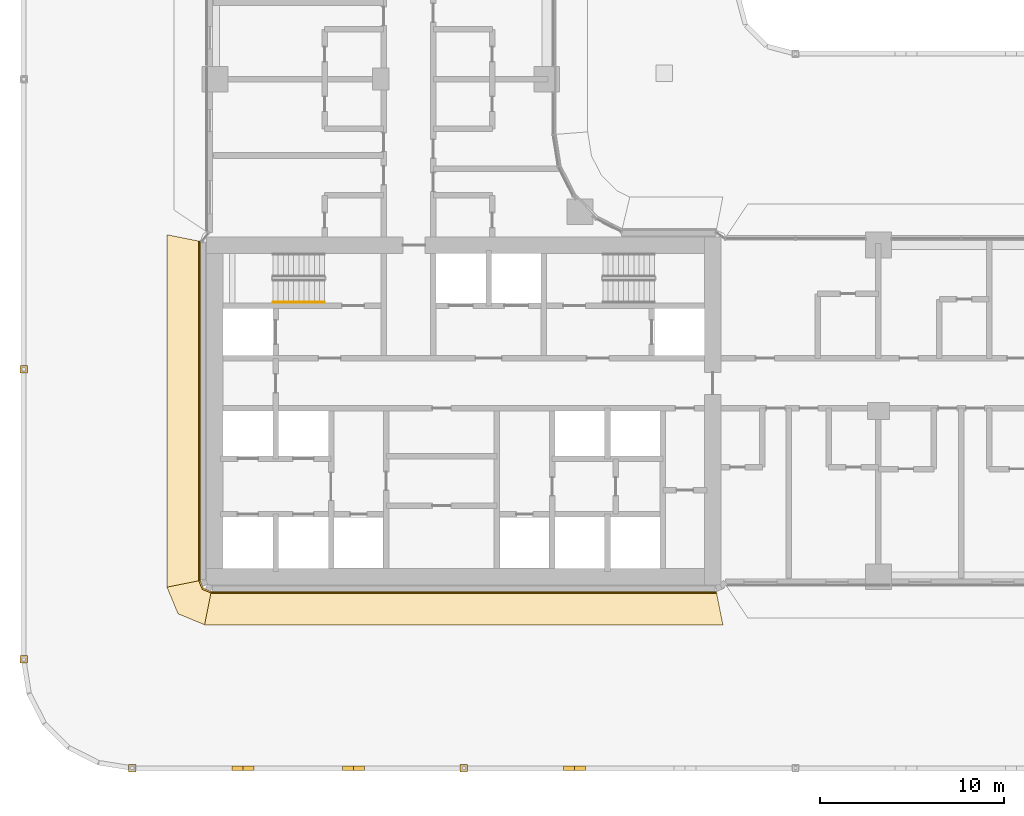
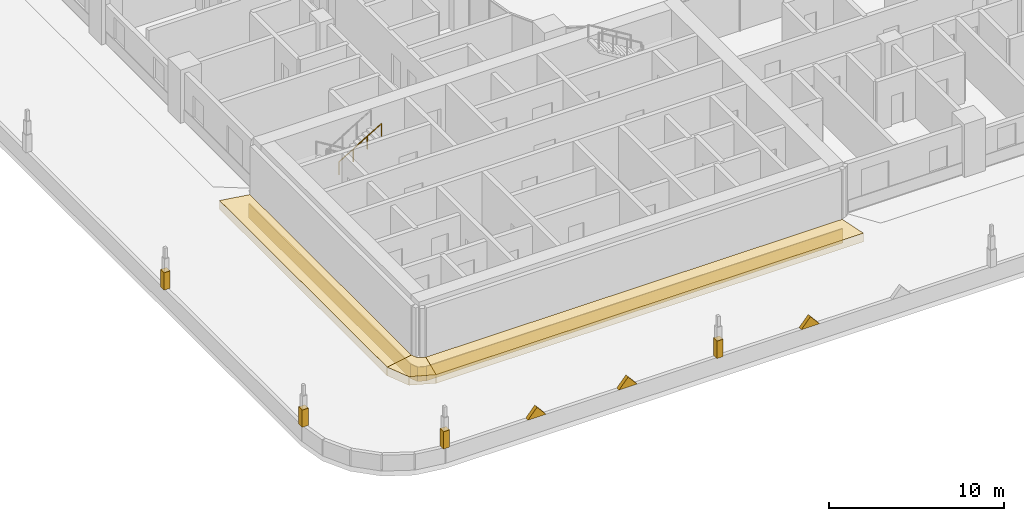
# One storey, part 36 of 51: 13 coverings, 1 railing.
"""IFC4 building model written with IfcOpenShell, lengths in metres."""

from ifc_helpers import new_model, si_unit, direction, frame, origin, origin_2d, place, context, subcontext, project, spatial, polyline, rectangle, circle, outline, extrude, material, layer, layer_set, type_object, element, save


model = new_model("IFC4")

# Units and contexts
model_context = context("Model", 3, precision=1e-05, world=origin(), true_north=direction((0.0, 1.0)))
body_context = subcontext(model_context, "Body", "Model", "MODEL_VIEW")
ifc_project = project(units=[si_unit("LENGTHUNIT", "METRE"), si_unit("AREAUNIT", "SQUARE_METRE"), si_unit("VOLUMEUNIT", "CUBIC_METRE"), si_unit("PLANEANGLEUNIT", "RADIAN"), si_unit("MASSUNIT", "GRAM", prefix="KILO")], contexts=[model_context])

# Site, building, storey
site_placement = place(None, origin())
site = spatial("IfcSite", under=ifc_project, at=site_placement, CompositionType="ELEMENT")
building_placement = place(site_placement, origin())
building = spatial("IfcBuilding", under=site, at=building_placement, Name="Ogive Portal Towers", CompositionType="ELEMENT")
storey_placement = place(building_placement, frame((0.0, 0.0, 33.5)))
storey = spatial("IfcBuildingStorey", under=building, at=storey_placement, Name="L06", CompositionType="ELEMENT", Elevation=33.5)

# Railing
ifc_material_1 = material(Name="Stainless steel handrail", Category="steel")
railing_type = type_object("IfcRailingType", Name="INT-HANDRAIL", PredefinedType="HANDRAIL", material=ifc_material_1)
railing_placement = place(storey_placement, frame((34.64990234375, 36.39990234375, 2.01806640625)))
element("IfcRailing", 1, at=railing_placement, inside=storey, type_object=railing_type, Name="L06 ST-A1 stair handrail 2", PredefinedType="HANDRAIL", context=body_context, shape_type="SweptSolid", body=[
    extrude(circle(Radius=0.02392578125, at=origin_2d()), frame((0.0, 0.0, 0.8759765625), z_axis=(0.857242210791, 0.0, 0.514913383045), x_axis=(0.0, 1.0, 0.0)), (0.0, 0.0, 1.0), 3.266357421875),
    extrude(circle(Radius=0.02099609375, at=origin_2d()), origin(), (0.0, 0.0, 1.0), 0.851806640625),
    extrude(circle(Radius=0.02099609375, at=origin_2d()), frame((0.933349609375, 0.0, 0.560546875)), (0.0, 0.0, 1.0), 0.851806640625),
    extrude(circle(Radius=0.02099609375, at=origin_2d()), frame((1.86669921875, 0.0, 1.121337890625)), (0.0, 0.0, 1.0), 0.851806640625),
    extrude(circle(Radius=0.02099609375, at=origin_2d()), frame((2.800048828125, 0.0, 1.681884765625)), (0.0, 0.0, 1.0), 0.851806640625),
])

# Coverings
ifc_material_2 = material(Name="Limestone cladding on lightweight block wall", Category="masonry")
ifc_layer_1 = layer(ifc_material_2, 0.300048828125)
ifc_layer_set_1 = layer_set([ifc_layer_1], Name="PARAPET GABLE STONE")
covering_type_1 = type_object("IfcCoveringType", Name="PARAPET GABLE STONE", PredefinedType="CLADDING", material=ifc_layer_set_1)
covering_1_placement = place(storey_placement, frame((32.41650390625, 11.0, 1.10009765625), z_axis=(0.0, -1.0, 0.0), x_axis=(1.0, 0.0, 0.0)))
element("IfcCovering", 2, at=covering_1_placement, inside=storey, type_object=covering_type_1, Name="PARAPET GABLE", PredefinedType="CLADDING", context=body_context, shape_type="SweptSolid", body=[
    extrude(outline(polyline([(0.0, 0.0), (1.199951171875, 0.0), (0.599853515625, 0.699951171875), (0.0, 0.0)])), origin(), (0.0, 0.0, -1.0), 0.25),
])
covering_2_placement = place(storey_placement, frame((38.4130859375, 11.0, 1.10009765625), z_axis=(0.0, -1.0, 0.0), x_axis=(1.0, 0.0, 0.0)))
element("IfcCovering", 3, at=covering_2_placement, inside=storey, type_object=covering_type_1, Name="PARAPET GABLE", PredefinedType="CLADDING", context=body_context, shape_type="SweptSolid", body=[
    extrude(outline(polyline([(0.0, 0.0), (1.199951171875, 0.0), (0.60009765625, 0.699951171875), (0.0, 0.0)])), origin(), (0.0, 0.0, -1.0), 0.25),
])
covering_3_placement = place(storey_placement, frame((50.406494140625, 11.0, 1.10009765625), z_axis=(0.0, -1.0, 0.0), x_axis=(1.0, 0.0, 0.0)))
element("IfcCovering", 4, at=covering_3_placement, inside=storey, type_object=covering_type_1, Name="PARAPET GABLE", PredefinedType="CLADDING", context=body_context, shape_type="SweptSolid", body=[
    extrude(outline(polyline([(0.0, 0.0), (1.2001953125, 0.0), (0.60009765625, 0.699951171875), (0.0, 0.0)])), origin(), (0.0, 0.0, -1.0), 0.25),
])
ifc_layer_2 = layer(ifc_material_2, 0.39990234375)
ifc_layer_set_2 = layer_set([ifc_layer_2], Name="PINNACLE SHAFT STONE")
covering_type_2 = type_object("IfcCoveringType", Name="PINNACLE SHAFT STONE", PredefinedType="CLADDING", material=ifc_layer_set_2)
for number, where, z_axis, x_axis, name in (
    (5, (21.125, 32.759765625, 1.10009765625), (0.0, 0.0, 1.0), (1.0, 0.0, 0.0), "PINNACLE"),
    (6, (21.125, 17.019775390625, 1.10009765625), (0.0, 0.0, 1.0), (1.0, 0.0, 0.0), "PINNACLE"),
    (7, (27.019775390625, 11.125, 1.10009765625), (0.0, 0.0, 1.0), (1.0, 0.0, 0.0), "PINNACLE"),
    (8, (45.009765625, 11.125, 1.10009765625), (0.0, 0.0, 1.0), (1.0, 0.0, 0.0), "PINNACLE"),
):
    element("IfcCovering", number, at=place(storey_placement, frame(where, z_axis=z_axis, x_axis=x_axis)), inside=storey, type_object=covering_type_2, Name=name, PredefinedType="CLADDING", context=body_context, shape_type="SweptSolid", body=[
        extrude(rectangle(XDim=0.39990234375, YDim=0.39990234375, at=origin_2d()), origin(), (0.0, 0.0, 1.0), 1.199951171875),
    ])
ifc_layer_3 = layer(ifc_material_2, 0.080078125)
ifc_layer_set_3 = layer_set([ifc_layer_3], Name="STONE SPANDREL 80")
covering_type_3 = type_object("IfcCoveringType", Name="STONE SPANDREL 80", PredefinedType="CLADDING", material=ifc_layer_set_3)
covering_4_placement = place(storey_placement, frame((0.0, 0.0, -1.60009765625)))
element("IfcCovering", 9, at=covering_4_placement, inside=storey, type_object=covering_type_3, Name="Stone spandrel A1-F08", PredefinedType="CLADDING", context=body_context, shape_type="SweptSolid", body=[
    extrude(outline(polyline([(30.699951171875, 39.699951171875), (30.699951171875, 21.300048828125), (30.6201171875, 21.2841796875), (30.6201171875, 39.7158203125), (30.699951171875, 39.699951171875)])), origin(), (0.0, 0.0, 1.0), 1.0),
])
covering_5_placement = place(storey_placement, frame((0.0, 0.0, -1.60009765625)))
element("IfcCovering", 10, at=covering_5_placement, inside=storey, type_object=covering_type_3, Name="Stone spandrel A1-F09", PredefinedType="CLADDING", context=body_context, shape_type="SweptSolid", body=[
    extrude(outline(polyline([(30.699951171875, 21.300048828125), (30.875732421875, 20.875732421875), (31.300048828125, 20.699951171875), (31.2841796875, 20.6201171875), (30.814453125, 20.814453125), (30.6201171875, 21.2841796875), (30.699951171875, 21.300048828125)])), origin(), (0.0, 0.0, 1.0), 1.0),
])
covering_6_placement = place(storey_placement, frame((0.0, 0.0, -1.60009765625)))
element("IfcCovering", 11, at=covering_6_placement, inside=storey, type_object=covering_type_3, Name="Stone spandrel A1-F10", PredefinedType="CLADDING", context=body_context, shape_type="SweptSolid", body=[
    extrude(outline(polyline([(31.300048828125, 20.699951171875), (58.699951171875, 20.699951171875), (58.7158203125, 20.6201171875), (31.2841796875, 20.6201171875), (31.300048828125, 20.699951171875)])), origin(), (0.0, 0.0, 1.0), 1.0),
])
ifc_layer_4 = layer(ifc_material_2, 0.60009765625)
ifc_layer_set_4 = layer_set([ifc_layer_4], Name="SUNSHADE LIP 600")
covering_type_4 = type_object("IfcCoveringType", Name="SUNSHADE LIP 600", PredefinedType="CLADDING", material=ifc_layer_set_4)
covering_7_placement = place(storey_placement, frame((0.0, 0.0, -0.60009765625)))
element("IfcCovering", 12, at=covering_7_placement, inside=storey, type_object=covering_type_4, Name="Sunshade lip A1-F08", PredefinedType="CLADDING", context=body_context, shape_type="SweptSolid", body=[
    extrude(outline(polyline([(30.699951171875, 39.699951171875), (30.699951171875, 21.300048828125), (28.89990234375, 20.94189453125), (28.89990234375, 40.05810546875), (30.699951171875, 39.699951171875)])), origin(), (0.0, 0.0, 1.0), 0.60009765625),
])
covering_8_placement = place(storey_placement, frame((0.0, 0.0, -0.60009765625)))
element("IfcCovering", 13, at=covering_8_placement, inside=storey, type_object=covering_type_4, Name="Sunshade lip A1-F09", PredefinedType="CLADDING", context=body_context, shape_type="SweptSolid", body=[
    extrude(outline(polyline([(30.699951171875, 21.300048828125), (30.875732421875, 20.875732421875), (31.300048828125, 20.699951171875), (30.94189453125, 18.89990234375), (29.498046875, 19.498046875), (28.89990234375, 20.94189453125), (30.699951171875, 21.300048828125)])), origin(), (0.0, 0.0, 1.0), 0.60009765625),
])
covering_9_placement = place(storey_placement, frame((0.0, 0.0, -0.60009765625)))
element("IfcCovering", 14, at=covering_9_placement, inside=storey, type_object=covering_type_4, Name="Sunshade lip A1-F10", PredefinedType="CLADDING", context=body_context, shape_type="SweptSolid", body=[
    extrude(outline(polyline([(31.300048828125, 20.699951171875), (58.699951171875, 20.699951171875), (59.05810546875, 18.89990234375), (30.94189453125, 18.89990234375), (31.300048828125, 20.699951171875)])), origin(), (0.0, 0.0, 1.0), 0.60009765625),
])

save(model, "model.ifc")
